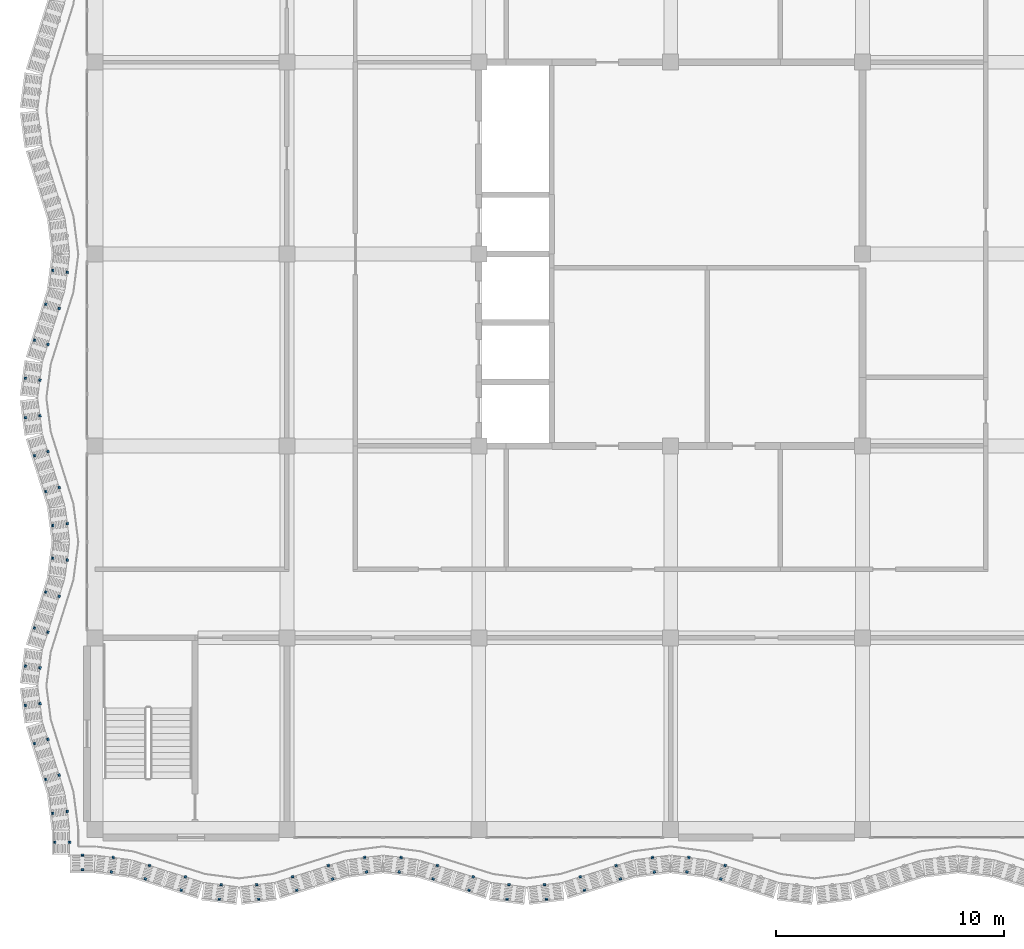
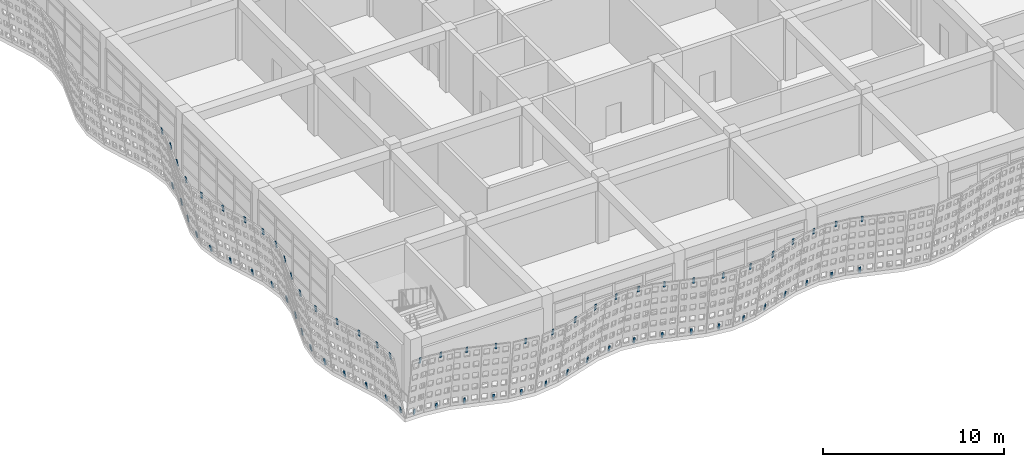
# One storey, part 115 of 163: 72 discrete accessories.
"""IFC4 building model written with IfcOpenShell, lengths in metres."""

from ifc_helpers import new_model, si_unit, direction, frame, origin, origin_2d, place, context, subcontext, project, spatial, rectangle, extrude, material, material_profile, profile_set, type_object, element, save


model = new_model("IFC4")

# Units and contexts
model_context = context("Model", 3, precision=1e-05, world=origin(), true_north=direction((0.0, 1.0)))
body_context = subcontext(model_context, "Body", "Model", "MODEL_VIEW")
ifc_project = project(units=[si_unit("LENGTHUNIT", "METRE"), si_unit("AREAUNIT", "SQUARE_METRE"), si_unit("VOLUMEUNIT", "CUBIC_METRE"), si_unit("PLANEANGLEUNIT", "RADIAN"), si_unit("MASSUNIT", "GRAM", prefix="KILO")], contexts=[model_context])

# Site, building, storey
site_placement = place(None, origin())
site = spatial("IfcSite", under=ifc_project, at=site_placement, CompositionType="ELEMENT")
building_placement = place(site_placement, origin())
building = spatial("IfcBuilding", under=site, at=building_placement, Name="Rain Tree Exposition and Congress Centre", CompositionType="ELEMENT")
storey_placement = place(building_placement, frame((0.0, 0.0, 10.5)))
storey = spatial("IfcBuildingStorey", under=building, at=storey_placement, Name="L02", CompositionType="ELEMENT", Elevation=10.5)

# Discrete accessories
ifc_material = material(Name="Steel S355J2", Category="steel")
ifc_material_profile = material_profile(ifc_material, rectangle(XDim=0.1201171875, YDim=0.050048828125, at=origin_2d()), Name="Flat bar 120x50")
ifc_profile_set = profile_set([ifc_material_profile], Name="Steel S355J2")
discrete_accessory_type = type_object("IfcDiscreteAccessoryType", Name="Screen bracket 120x50", PredefinedType="BRACKET", material=ifc_profile_set)
for number, where, z_axis, x_axis, name in (
    (1, (0.71826171875, -1.821533203125, 3.851318359375), (-0.021363835031, -0.162975541524, 0.986398783159), (0.991517377774, -0.129974188098, 0.0), "wing/bracket/L02/0011t"),
    (2, (0.80078125, -1.187255859375, 0.004150390625), (-0.020755767579, -0.162383358115, 0.986509423736), (0.991929834703, -0.126788023985, 0.0), "wing/bracket/L02/0011b"),
):
    element("IfcDiscreteAccessory", number, at=place(storey_placement, frame(where, z_axis=z_axis, x_axis=x_axis)), inside=storey, type_object=discrete_accessory_type, Name=name, PredefinedType="BRACKET", context=body_context, shape_type="SweptSolid", body=[
        extrude(rectangle(XDim=0.1201171875, YDim=0.050048828125, at=origin_2d()), origin(), (0.0, 0.0, 1.0), 0.39990234375),
    ])
for number, where, z_axis, x_axis, name in (
    (3, (2.208984375, -2.12841796875, 3.85107421875), (-0.04699262887, -0.150742588713, 0.987455500152), (0.954686073127, -0.297614686764, 0.0), "wing/bracket/L02/0021t"),
    (4, (2.3935546875, -1.541259765625, 0.00390625), (-0.047601548727, -0.150738237635, 0.987426997946), (0.953582665134, -0.301131367937, 0.0), "wing/bracket/L02/0021b"),
    (5, (3.78076171875, -2.622314453125, 3.85107421875), (-0.047601548727, -0.150738237635, 0.987426997946), (0.953582665134, -0.301131367937, 0.0), "wing/bracket/L02/0031t"),
    (6, (3.965087890625, -2.03515625, 0.00390625), (-0.04699262887, -0.150742588713, 0.987455500152), (0.954686073127, -0.297614686764, 0.0), "wing/bracket/L02/0031b"),
):
    element("IfcDiscreteAccessory", number, at=place(storey_placement, frame(where, z_axis=z_axis, x_axis=x_axis)), inside=storey, type_object=discrete_accessory_type, Name=name, PredefinedType="BRACKET", context=body_context, shape_type="SweptSolid", body=[
        extrude(rectangle(XDim=0.1201171875, YDim=0.050048828125, at=origin_2d()), origin(), (0.0, 0.0, 1.0), 0.400146484375),
    ])
for number, where, z_axis, x_axis, name in (
    (7, (5.441650390625, -3.016357421875, 3.851318359375), (-0.021363835031, -0.162975541524, 0.986398783159), (0.991517377774, -0.129974188098, 0.0), "wing/bracket/L02/0041t"),
    (8, (5.524169921875, -2.382080078125, 0.004150390625), (-0.021365956631, -0.162381270396, 0.986496740452), (0.991454295543, -0.130454512571, 0.0), "wing/bracket/L02/0041b"),
    (9, (7.158447265625, -3.016357421875, 3.851318359375), (0.020753706516, -0.162977636468, 0.986411462665), (0.991989449114, 0.12632075382, 0.0), "wing/bracket/L02/0051t"),
    (10, (7.07568359375, -2.382080078125, 0.004150390625), (0.021365956631, -0.162381270396, 0.986496740452), (0.991454295543, 0.130454512571, 0.0), "wing/bracket/L02/0051b"),
):
    element("IfcDiscreteAccessory", number, at=place(storey_placement, frame(where, z_axis=z_axis, x_axis=x_axis)), inside=storey, type_object=discrete_accessory_type, Name=name, PredefinedType="BRACKET", context=body_context, shape_type="SweptSolid", body=[
        extrude(rectangle(XDim=0.1201171875, YDim=0.050048828125, at=origin_2d()), origin(), (0.0, 0.0, 1.0), 0.39990234375),
    ])
for number, where, z_axis, x_axis, name in (
    (11, (8.8193359375, -2.622314453125, 3.85107421875), (0.04699262887, -0.150742588713, 0.987455500152), (0.954686073127, 0.297614686764, 0.0), "wing/bracket/L02/0061t"),
    (12, (8.634765625, -2.03515625, 0.00390625), (0.047601548727, -0.150738237635, 0.987426997946), (0.953582665134, 0.301131367937, 0.0), "wing/bracket/L02/0061b"),
    (13, (10.390869140625, -2.12841796875, 3.85107421875), (0.047601548727, -0.150738237635, 0.987426997946), (0.953582665134, 0.301131367937, 0.0), "wing/bracket/L02/0071t"),
    (14, (10.206298828125, -1.541259765625, 0.00390625), (0.047601548727, -0.150738237635, 0.987426997946), (0.953582665134, 0.301131367937, 0.0), "wing/bracket/L02/0071b"),
):
    element("IfcDiscreteAccessory", number, at=place(storey_placement, frame(where, z_axis=z_axis, x_axis=x_axis)), inside=storey, type_object=discrete_accessory_type, Name=name, PredefinedType="BRACKET", context=body_context, shape_type="SweptSolid", body=[
        extrude(rectangle(XDim=0.1201171875, YDim=0.050048828125, at=origin_2d()), origin(), (0.0, 0.0, 1.0), 0.400146484375),
    ])
for number, where, z_axis, x_axis, name in (
    (15, (11.881591796875, -1.821533203125, 3.851318359375), (0.021363835031, -0.162975541524, 0.986398783159), (0.991517377774, 0.129974188098, 0.0), "wing/bracket/L02/0081t"),
    (16, (11.799072265625, -1.187255859375, 0.004150390625), (0.021365956631, -0.162381270396, 0.986496740452), (0.991454295543, 0.130454512571, 0.0), "wing/bracket/L02/0081b"),
    (17, (13.318359375, -1.821533203125, 3.851318359375), (-0.021363835031, -0.162975541524, 0.986398783159), (0.991517377774, -0.129974188098, 0.0), "wing/bracket/L02/0091t"),
    (18, (13.40087890625, -1.187255859375, 0.004150390625), (-0.021365956631, -0.162381270396, 0.986496740452), (0.991454295543, -0.130454512571, 0.0), "wing/bracket/L02/0091b"),
):
    element("IfcDiscreteAccessory", number, at=place(storey_placement, frame(where, z_axis=z_axis, x_axis=x_axis)), inside=storey, type_object=discrete_accessory_type, Name=name, PredefinedType="BRACKET", context=body_context, shape_type="SweptSolid", body=[
        extrude(rectangle(XDim=0.1201171875, YDim=0.050048828125, at=origin_2d()), origin(), (0.0, 0.0, 1.0), 0.39990234375),
    ])
for number, where, z_axis, x_axis, name in (
    (19, (14.80908203125, -2.12841796875, 3.85107421875), (-0.047601548727, -0.150738237635, 0.987426997946), (0.953582665134, -0.301131367937, 0.0), "wing/bracket/L02/0101t"),
    (20, (14.99365234375, -1.541259765625, 0.00390625), (-0.047601548727, -0.150738237635, 0.987426997946), (0.953582665134, -0.301131367937, 0.0), "wing/bracket/L02/0101b"),
    (21, (16.380615234375, -2.622314453125, 3.85107421875), (-0.04699262887, -0.150742588713, 0.987455500152), (0.954686073127, -0.297614686764, 0.0), "wing/bracket/L02/0111t"),
    (22, (16.565185546875, -2.03515625, 0.00390625), (-0.04699262887, -0.150742588713, 0.987455500152), (0.954686073127, -0.297614686764, 0.0), "wing/bracket/L02/0111b"),
):
    element("IfcDiscreteAccessory", number, at=place(storey_placement, frame(where, z_axis=z_axis, x_axis=x_axis)), inside=storey, type_object=discrete_accessory_type, Name=name, PredefinedType="BRACKET", context=body_context, shape_type="SweptSolid", body=[
        extrude(rectangle(XDim=0.1201171875, YDim=0.050048828125, at=origin_2d()), origin(), (0.0, 0.0, 1.0), 0.400146484375),
    ])
for number, where, z_axis, x_axis, name in (
    (23, (18.04150390625, -3.016357421875, 3.851318359375), (-0.020753706516, -0.162977636468, 0.986411462665), (0.991989449114, -0.12632075382, 0.0), "wing/bracket/L02/0121t"),
    (24, (18.124267578125, -2.382080078125, 0.004150390625), (-0.021365956631, -0.162381270396, 0.986496740452), (0.991454295543, -0.130454512571, 0.0), "wing/bracket/L02/0121b"),
    (25, (19.75830078125, -3.016357421875, 3.851318359375), (0.021363835031, -0.162975541524, 0.986398783159), (0.991517377774, 0.129974188098, 0.0), "wing/bracket/L02/0131t"),
    (26, (19.67578125, -2.382080078125, 0.004150390625), (0.021365956631, -0.162381270396, 0.986496740452), (0.991454295543, 0.130454512571, 0.0), "wing/bracket/L02/0131b"),
):
    element("IfcDiscreteAccessory", number, at=place(storey_placement, frame(where, z_axis=z_axis, x_axis=x_axis)), inside=storey, type_object=discrete_accessory_type, Name=name, PredefinedType="BRACKET", context=body_context, shape_type="SweptSolid", body=[
        extrude(rectangle(XDim=0.1201171875, YDim=0.050048828125, at=origin_2d()), origin(), (0.0, 0.0, 1.0), 0.39990234375),
    ])
for number, where, z_axis, x_axis, name in (
    (27, (21.419189453125, -2.622314453125, 3.85107421875), (0.047601548727, -0.150738237635, 0.987426997946), (0.953582665134, 0.301131367937, 0.0), "wing/bracket/L02/0141t"),
    (28, (21.23486328125, -2.03515625, 0.00390625), (0.04699262887, -0.150742588713, 0.987455500152), (0.954686073127, 0.297614686764, 0.0), "wing/bracket/L02/0141b"),
    (29, (22.990966796875, -2.12841796875, 3.85107421875), (0.047601548727, -0.150738237635, 0.987426997946), (0.953582665134, 0.301131367937, 0.0), "wing/bracket/L02/0151t"),
    (30, (22.806396484375, -1.541259765625, 0.00390625), (0.047601548727, -0.150738237635, 0.987426997946), (0.953582665134, 0.301131367937, 0.0), "wing/bracket/L02/0151b"),
):
    element("IfcDiscreteAccessory", number, at=place(storey_placement, frame(where, z_axis=z_axis, x_axis=x_axis)), inside=storey, type_object=discrete_accessory_type, Name=name, PredefinedType="BRACKET", context=body_context, shape_type="SweptSolid", body=[
        extrude(rectangle(XDim=0.1201171875, YDim=0.050048828125, at=origin_2d()), origin(), (0.0, 0.0, 1.0), 0.400146484375),
    ])
for number, where, z_axis, x_axis, name in (
    (31, (24.481689453125, -1.821533203125, 3.851318359375), (0.021363835031, -0.162975541524, 0.986398783159), (0.991517377774, 0.129974188098, 0.0), "wing/bracket/L02/0161t"),
    (32, (24.399169921875, -1.187255859375, 0.004150390625), (0.021365956631, -0.162381270396, 0.986496740452), (0.991454295543, 0.130454512571, 0.0), "wing/bracket/L02/0161b"),
    (33, (25.918212890625, -1.821533203125, 3.851318359375), (-0.020753706516, -0.162977636468, 0.986411462665), (0.991989449114, -0.12632075382, 0.0), "wing/bracket/L02/0171t"),
    (34, (26.0009765625, -1.187255859375, 0.004150390625), (-0.021365956631, -0.162381270396, 0.986496740452), (0.991454295543, -0.130454512571, 0.0), "wing/bracket/L02/0171b"),
):
    element("IfcDiscreteAccessory", number, at=place(storey_placement, frame(where, z_axis=z_axis, x_axis=x_axis)), inside=storey, type_object=discrete_accessory_type, Name=name, PredefinedType="BRACKET", context=body_context, shape_type="SweptSolid", body=[
        extrude(rectangle(XDim=0.1201171875, YDim=0.050048828125, at=origin_2d()), origin(), (0.0, 0.0, 1.0), 0.39990234375),
    ])
for number, where, z_axis, x_axis, name in (
    (35, (27.4091796875, -2.12841796875, 3.85107421875), (-0.047601548727, -0.150738237635, 0.987426997946), (0.953582665134, -0.301131367937, 0.0), "wing/bracket/L02/0181t"),
    (36, (27.593505859375, -1.541259765625, 0.00390625), (-0.04699262887, -0.150742588713, 0.987455500152), (0.954686073127, -0.297614686764, 0.0), "wing/bracket/L02/0181b"),
):
    element("IfcDiscreteAccessory", number, at=place(storey_placement, frame(where, z_axis=z_axis, x_axis=x_axis)), inside=storey, type_object=discrete_accessory_type, Name=name, PredefinedType="BRACKET", context=body_context, shape_type="SweptSolid", body=[
        extrude(rectangle(XDim=0.1201171875, YDim=0.050048828125, at=origin_2d()), origin(), (0.0, 0.0, 1.0), 0.400146484375),
    ])
for number, where, z_axis, x_axis, name in (
    (37, (-1.821533203125, 24.481689453125, 3.851318359375), (-0.162975541524, 0.021363835031, 0.986398783159), (-0.129974188098, -0.991517377774, 0.0), "wing/bracket/L02/1191t"),
    (38, (-1.187255859375, 24.399169921875, 0.004150390625), (-0.162381270396, 0.021365956631, 0.986496740452), (-0.130454512571, -0.991454295543, 0.0), "wing/bracket/L02/1191b"),
):
    element("IfcDiscreteAccessory", number, at=place(storey_placement, frame(where, z_axis=z_axis, x_axis=x_axis)), inside=storey, type_object=discrete_accessory_type, Name=name, PredefinedType="BRACKET", context=body_context, shape_type="SweptSolid", body=[
        extrude(rectangle(XDim=0.1201171875, YDim=0.050048828125, at=origin_2d()), origin(), (0.0, 0.0, 1.0), 0.39990234375),
    ])
for number, where, z_axis, x_axis, name in (
    (39, (-2.12841796875, 22.990966796875, 3.85107421875), (-0.150738237635, 0.047601548727, 0.987426997946), (-0.301131367937, -0.953582665134, 0.0), "wing/bracket/L02/1201t"),
    (40, (-1.541259765625, 22.806396484375, 0.00390625), (-0.150738237635, 0.047601548727, 0.987426997946), (-0.301131367937, -0.953582665134, 0.0), "wing/bracket/L02/1201b"),
    (41, (-2.622314453125, 21.419189453125, 3.85107421875), (-0.150738237635, 0.047601548727, 0.987426997946), (-0.301131367937, -0.953582665134, 0.0), "wing/bracket/L02/1211t"),
    (42, (-2.03515625, 21.23486328125, 0.00390625), (-0.150742588713, 0.04699262887, 0.987455500152), (-0.297614686764, -0.954686073127, 0.0), "wing/bracket/L02/1211b"),
):
    element("IfcDiscreteAccessory", number, at=place(storey_placement, frame(where, z_axis=z_axis, x_axis=x_axis)), inside=storey, type_object=discrete_accessory_type, Name=name, PredefinedType="BRACKET", context=body_context, shape_type="SweptSolid", body=[
        extrude(rectangle(XDim=0.1201171875, YDim=0.050048828125, at=origin_2d()), origin(), (0.0, 0.0, 1.0), 0.400146484375),
    ])
for number, where, z_axis, x_axis, name in (
    (43, (-3.016357421875, 19.75830078125, 3.851318359375), (-0.162975541524, 0.021363835031, 0.986398783159), (-0.129974188098, -0.991517377774, 0.0), "wing/bracket/L02/1221t"),
    (44, (-2.382080078125, 19.67578125, 0.004150390625), (-0.162381270396, 0.021365956631, 0.986496740452), (-0.130454512571, -0.991454295543, 0.0), "wing/bracket/L02/1221b"),
    (45, (-3.016357421875, 18.04150390625, 3.851318359375), (-0.162977636468, -0.020753706516, 0.986411462665), (0.12632075382, -0.991989449114, 0.0), "wing/bracket/L02/1231t"),
    (46, (-2.382080078125, 18.124267578125, 0.004150390625), (-0.162381270396, -0.021365956631, 0.986496740452), (0.130454512571, -0.991454295543, 0.0), "wing/bracket/L02/1231b"),
):
    element("IfcDiscreteAccessory", number, at=place(storey_placement, frame(where, z_axis=z_axis, x_axis=x_axis)), inside=storey, type_object=discrete_accessory_type, Name=name, PredefinedType="BRACKET", context=body_context, shape_type="SweptSolid", body=[
        extrude(rectangle(XDim=0.1201171875, YDim=0.050048828125, at=origin_2d()), origin(), (0.0, 0.0, 1.0), 0.39990234375),
    ])
for number, where, z_axis, x_axis, name in (
    (47, (-2.622314453125, 16.380615234375, 3.85107421875), (-0.150742588713, -0.04699262887, 0.987455500152), (0.297614686764, -0.954686073127, 0.0), "wing/bracket/L02/1241t"),
    (48, (-2.03515625, 16.565185546875, 0.00390625), (-0.150742588713, -0.04699262887, 0.987455500152), (0.297614686764, -0.954686073127, 0.0), "wing/bracket/L02/1241b"),
    (49, (-2.12841796875, 14.80908203125, 3.85107421875), (-0.150738237635, -0.047601548727, 0.987426997946), (0.301131367937, -0.953582665134, 0.0), "wing/bracket/L02/1251t"),
    (50, (-1.541259765625, 14.99365234375, 0.00390625), (-0.150738237635, -0.047601548727, 0.987426997946), (0.301131367937, -0.953582665134, 0.0), "wing/bracket/L02/1251b"),
):
    element("IfcDiscreteAccessory", number, at=place(storey_placement, frame(where, z_axis=z_axis, x_axis=x_axis)), inside=storey, type_object=discrete_accessory_type, Name=name, PredefinedType="BRACKET", context=body_context, shape_type="SweptSolid", body=[
        extrude(rectangle(XDim=0.1201171875, YDim=0.050048828125, at=origin_2d()), origin(), (0.0, 0.0, 1.0), 0.400146484375),
    ])
for number, where, z_axis, x_axis, name in (
    (51, (-1.821533203125, 13.318359375, 3.851318359375), (-0.162975541524, -0.021363835031, 0.986398783159), (0.129974188098, -0.991517377774, 0.0), "wing/bracket/L02/1261t"),
    (52, (-1.187255859375, 13.40087890625, 0.004150390625), (-0.162381270396, -0.021365956631, 0.986496740452), (0.130454512571, -0.991454295543, 0.0), "wing/bracket/L02/1261b"),
    (53, (-1.821533203125, 11.881591796875, 3.851318359375), (-0.162975541524, 0.021363835031, 0.986398783159), (-0.129974188098, -0.991517377774, 0.0), "wing/bracket/L02/1271t"),
    (54, (-1.187255859375, 11.799072265625, 0.004150390625), (-0.162381270396, 0.021365956631, 0.986496740452), (-0.130454512571, -0.991454295543, 0.0), "wing/bracket/L02/1271b"),
):
    element("IfcDiscreteAccessory", number, at=place(storey_placement, frame(where, z_axis=z_axis, x_axis=x_axis)), inside=storey, type_object=discrete_accessory_type, Name=name, PredefinedType="BRACKET", context=body_context, shape_type="SweptSolid", body=[
        extrude(rectangle(XDim=0.1201171875, YDim=0.050048828125, at=origin_2d()), origin(), (0.0, 0.0, 1.0), 0.39990234375),
    ])
for number, where, z_axis, x_axis, name in (
    (55, (-2.12841796875, 10.390869140625, 3.85107421875), (-0.150738237635, 0.047601548727, 0.987426997946), (-0.301131367937, -0.953582665134, 0.0), "wing/bracket/L02/1281t"),
    (56, (-1.541259765625, 10.206298828125, 0.00390625), (-0.150738237635, 0.047601548727, 0.987426997946), (-0.301131367937, -0.953582665134, 0.0), "wing/bracket/L02/1281b"),
    (57, (-2.622314453125, 8.8193359375, 3.85107421875), (-0.150742588713, 0.04699262887, 0.987455500152), (-0.297614686764, -0.954686073127, 0.0), "wing/bracket/L02/1291t"),
    (58, (-2.03515625, 8.634765625, 0.00390625), (-0.150738237635, 0.047601548727, 0.987426997946), (-0.301131367937, -0.953582665134, 0.0), "wing/bracket/L02/1291b"),
):
    element("IfcDiscreteAccessory", number, at=place(storey_placement, frame(where, z_axis=z_axis, x_axis=x_axis)), inside=storey, type_object=discrete_accessory_type, Name=name, PredefinedType="BRACKET", context=body_context, shape_type="SweptSolid", body=[
        extrude(rectangle(XDim=0.1201171875, YDim=0.050048828125, at=origin_2d()), origin(), (0.0, 0.0, 1.0), 0.400146484375),
    ])
for number, where, z_axis, x_axis, name in (
    (59, (-3.016357421875, 7.158447265625, 3.851318359375), (-0.162977636468, 0.020753706516, 0.986411462665), (-0.12632075382, -0.991989449114, 0.0), "wing/bracket/L02/1301t"),
    (60, (-2.382080078125, 7.07568359375, 0.004150390625), (-0.162381270396, 0.021365956631, 0.986496740452), (-0.130454512571, -0.991454295543, 0.0), "wing/bracket/L02/1301b"),
    (61, (-3.016357421875, 5.441650390625, 3.851318359375), (-0.162975541524, -0.021363835031, 0.986398783159), (0.129974188098, -0.991517377774, 0.0), "wing/bracket/L02/1311t"),
    (62, (-2.382080078125, 5.524169921875, 0.004150390625), (-0.162381270396, -0.021365956631, 0.986496740452), (0.130454512571, -0.991454295543, 0.0), "wing/bracket/L02/1311b"),
):
    element("IfcDiscreteAccessory", number, at=place(storey_placement, frame(where, z_axis=z_axis, x_axis=x_axis)), inside=storey, type_object=discrete_accessory_type, Name=name, PredefinedType="BRACKET", context=body_context, shape_type="SweptSolid", body=[
        extrude(rectangle(XDim=0.1201171875, YDim=0.050048828125, at=origin_2d()), origin(), (0.0, 0.0, 1.0), 0.39990234375),
    ])
for number, where, z_axis, x_axis, name in (
    (63, (-2.622314453125, 3.78076171875, 3.85107421875), (-0.150738237635, -0.047601548727, 0.987426997946), (0.301131367937, -0.953582665134, 0.0), "wing/bracket/L02/1321t"),
    (64, (-2.03515625, 3.965087890625, 0.00390625), (-0.150742588713, -0.04699262887, 0.987455500152), (0.297614686764, -0.954686073127, 0.0), "wing/bracket/L02/1321b"),
    (65, (-2.12841796875, 2.208984375, 3.85107421875), (-0.150742588713, -0.04699262887, 0.987455500152), (0.297614686764, -0.954686073127, 0.0), "wing/bracket/L02/1331t"),
    (66, (-1.541259765625, 2.3935546875, 0.00390625), (-0.150738237635, -0.047601548727, 0.987426997946), (0.301131367937, -0.953582665134, 0.0), "wing/bracket/L02/1331b"),
):
    element("IfcDiscreteAccessory", number, at=place(storey_placement, frame(where, z_axis=z_axis, x_axis=x_axis)), inside=storey, type_object=discrete_accessory_type, Name=name, PredefinedType="BRACKET", context=body_context, shape_type="SweptSolid", body=[
        extrude(rectangle(XDim=0.1201171875, YDim=0.050048828125, at=origin_2d()), origin(), (0.0, 0.0, 1.0), 0.400146484375),
    ])
for number, where, z_axis, x_axis, name in (
    (67, (-1.821533203125, 0.71826171875, 3.851318359375), (-0.162975541524, -0.021363835031, 0.986398783159), (0.129974188098, -0.991517377774, 0.0), "wing/bracket/L02/1341t"),
    (68, (-1.187255859375, 0.80078125, 0.004150390625), (-0.162383358115, -0.020755767579, 0.986509423736), (0.126788023985, -0.991929834703, 0.0), "wing/bracket/L02/1341b"),
):
    element("IfcDiscreteAccessory", number, at=place(storey_placement, frame(where, z_axis=z_axis, x_axis=x_axis)), inside=storey, type_object=discrete_accessory_type, Name=name, PredefinedType="BRACKET", context=body_context, shape_type="SweptSolid", body=[
        extrude(rectangle(XDim=0.1201171875, YDim=0.050048828125, at=origin_2d()), origin(), (0.0, 0.0, 1.0), 0.39990234375),
    ])
discrete_accessory_1_placement = place(storey_placement, frame((-1.72900390625, -0.5537109375, 3.851318359375), z_axis=(-0.165388563864, 0.0, 0.986228484147), x_axis=(0.0, -1.0, 0.0)))
element("IfcDiscreteAccessory", 69, at=discrete_accessory_1_placement, inside=storey, type_object=discrete_accessory_type, Name="wing/bracket/L02/1351t", PredefinedType="BRACKET", context=body_context, shape_type="SweptSolid", body=[
    extrude(rectangle(XDim=0.1201171875, YDim=0.050048828125, at=origin_2d()), origin(), (0.0, 0.0, 1.0), 0.400146484375),
])
discrete_accessory_2_placement = place(storey_placement, frame((-1.083984375, -0.5537109375, 0.004150390625), z_axis=(-0.164794877674, 0.0, 0.986327860446), x_axis=(0.0, -1.0, 0.0)))
element("IfcDiscreteAccessory", 70, at=discrete_accessory_2_placement, inside=storey, type_object=discrete_accessory_type, Name="wing/bracket/L02/1351b", PredefinedType="BRACKET", context=body_context, shape_type="SweptSolid", body=[
    extrude(rectangle(XDim=0.1201171875, YDim=0.050048828125, at=origin_2d()), origin(), (0.0, 0.0, 1.0), 0.39990234375),
])
discrete_accessory_3_placement = place(storey_placement, frame((-0.5537109375, -1.72900390625, 3.851318359375), z_axis=(0.0, -0.165388563864, 0.986228484147), x_axis=(1.0, 0.0, 0.0)))
element("IfcDiscreteAccessory", 71, at=discrete_accessory_3_placement, inside=storey, type_object=discrete_accessory_type, Name="wing/bracket/L02/1361t", PredefinedType="BRACKET", context=body_context, shape_type="SweptSolid", body=[
    extrude(rectangle(XDim=0.1201171875, YDim=0.050048828125, at=origin_2d()), origin(), (0.0, 0.0, 1.0), 0.400146484375),
])
discrete_accessory_4_placement = place(storey_placement, frame((-0.5537109375, -1.083984375, 0.004150390625), z_axis=(0.0, -0.164794877674, 0.986327860446), x_axis=(1.0, 0.0, 0.0)))
element("IfcDiscreteAccessory", 72, at=discrete_accessory_4_placement, inside=storey, type_object=discrete_accessory_type, Name="wing/bracket/L02/1361b", PredefinedType="BRACKET", context=body_context, shape_type="SweptSolid", body=[
    extrude(rectangle(XDim=0.1201171875, YDim=0.050048828125, at=origin_2d()), origin(), (0.0, 0.0, 1.0), 0.39990234375),
])

save(model, "model.ifc")
